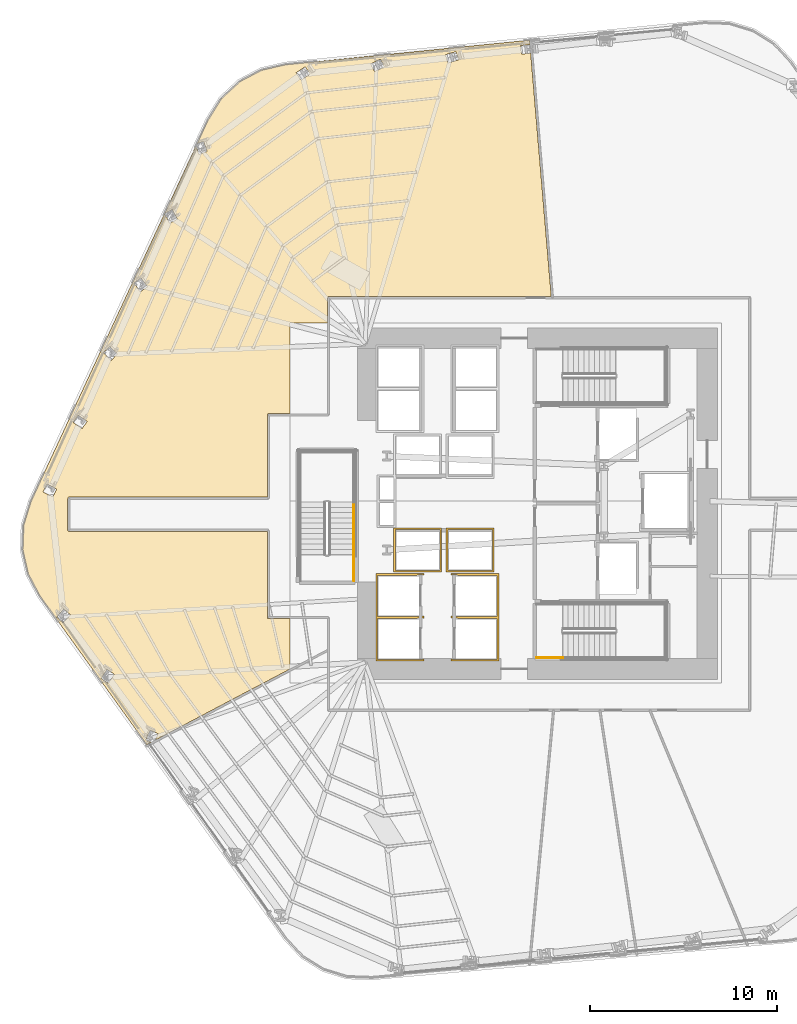
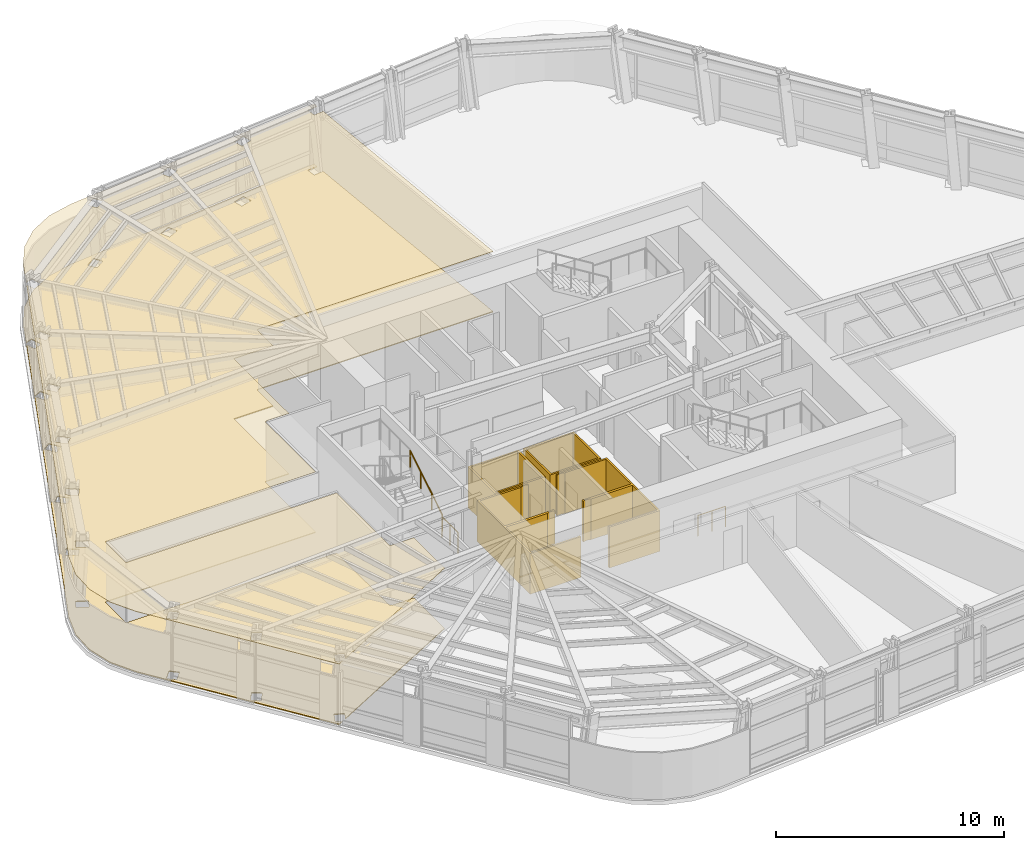
# One storey, part 12 of 16: 6 coverings, 3 railings.
"""IFC4 building model written with IfcOpenShell, lengths in metres."""

from ifc_helpers import new_model, si_unit, direction, frame, origin, origin_2d, place, context, subcontext, project, spatial, polyline, circle, outline, extrude, material, layer, layer_set, type_object, element, save


model = new_model("IFC4")

# Units and contexts
model_context = context("Model", 3, precision=1e-05, world=origin(), true_north=direction((0.0, 1.0)))
body_context = subcontext(model_context, "Body", "Model", "MODEL_VIEW")
ifc_project = project(units=[si_unit("LENGTHUNIT", "METRE"), si_unit("AREAUNIT", "SQUARE_METRE"), si_unit("VOLUMEUNIT", "CUBIC_METRE"), si_unit("PLANEANGLEUNIT", "RADIAN"), si_unit("MASSUNIT", "GRAM", prefix="KILO")], contexts=[model_context])

# Site, building, storey
site_placement = place(None, origin())
site = spatial("IfcSite", under=ifc_project, at=site_placement, CompositionType="ELEMENT")
building_placement = place(site_placement, origin())
building = spatial("IfcBuilding", under=site, at=building_placement, Name="Valkerne Bourse Tower", CompositionType="ELEMENT")
storey_placement = place(building_placement, frame((0.0, 0.0, 46.800048828125)))
storey = spatial("IfcBuildingStorey", under=building, at=storey_placement, Name="L11", CompositionType="ELEMENT", Elevation=46.800048828125)

# Coverings
ifc_material_1 = material(Name="Mineral Fiber Acoustic Ceiling Tile", Category="acoustic")
ifc_layer_1 = layer(ifc_material_1, 0.02490234375)
ifc_layer_set_1 = layer_set([ifc_layer_1], Name="Mineral Fiber Acoustic Ceiling Tile")
covering_type_1 = type_object("IfcCoveringType", Name="COV-CEIL-ACT", PredefinedType="CEILING", material=ifc_layer_set_1)
covering_1_placement = place(storey_placement, frame((0.0, 0.0, 3.22998046875)))
element("IfcCovering", 1, at=covering_1_placement, inside=storey, type_object=covering_type_1, Name="L11 Suspended Ceiling 06", PredefinedType="CEILING", context=body_context, shape_type="SweptSolid", body=[
    extrude(outline(polyline([(19.33203125, 24.403564453125), (19.380615234375, 25.72216796875), (19.77099609375, 26.9921875), (28.573974609375, 45.948486328125), (28.7265625, 45.50048828125), (29.1630859375, 45.64697265625), (29.165771484375, 45.649658203125), (28.97998046875, 46.1953125), (28.635009765625, 46.079345703125), (29.225341796875, 47.35107421875), (29.931884765625, 48.477294921875), (30.8984375, 49.37548828125), (32.064697265625, 49.992919921875), (33.360595703125, 50.289794921875), (46.3681640625, 51.59033203125), (46.3876953125, 51.361328125), (45.890625, 51.304443359375), (45.94287109375, 50.8447265625), (45.9462890625, 50.844970703125), (46.426513671875, 50.89990234375), (47.5244140625, 37.9189453125), (35.649658203125, 37.9189453125), (35.620849609375, 37.91259765625), (35.591064453125, 37.885986328125), (35.5810546875, 37.8505859375), (35.5810546875, 36.5), (33.60009765625, 36.5), (33.60009765625, 31.6689453125), (32.449462890625, 31.6689453125), (32.419921875, 31.662109375), (32.39404296875, 31.640625), (32.381103515625, 31.6005859375), (32.381103515625, 27.218994140625), (21.79931640625, 27.218994140625), (21.75927734375, 27.205810546875), (21.734619140625, 27.1728515625), (21.731201171875, 25.446533203125), (21.748291015625, 25.40380859375), (21.7890625, 25.3818359375), (32.381103515625, 25.381103515625), (32.381103515625, 20.799560546875), (32.3876953125, 20.77001953125), (32.4140625, 20.740966796875), (32.449462890625, 20.73095703125), (33.60009765625, 20.73095703125), (33.60009765625, 18.052001953125), (26.395263671875, 14.25048828125), (26.548583984375, 14.600830078125), (26.546875, 14.603759765625), (26.123291015625, 14.786865234375), (25.892578125, 14.259033203125), (25.894287109375, 14.256103515625), (26.175537109375, 14.134521484375), (25.94775390625, 14.014404296875), (20.24853515625, 21.943115234375), (19.626708984375, 23.1171875), (19.33203125, 24.403564453125)]), holes=[polyline([(24.212158203125, 17.77490234375), (23.82373046875, 18.0234375), (23.510986328125, 17.539794921875), (23.51220703125, 17.53662109375), (23.900634765625, 17.2880859375), (24.21337890625, 17.771484375), (24.212158203125, 17.77490234375)]), polyline([(21.86865234375, 20.943603515625), (21.867919921875, 20.947509765625), (21.520751953125, 21.250732421875), (21.139404296875, 20.8193359375), (21.14013671875, 20.815673828125), (21.4873046875, 20.51220703125), (21.86865234375, 20.943603515625)]), polyline([(21.141845703125, 27.6533203125), (20.623779296875, 27.90625), (20.419921875, 27.493408203125), (20.419921875, 27.48974609375), (20.937744140625, 27.236572265625), (21.1416015625, 27.6494140625), (21.141845703125, 27.6533203125)]), polyline([(22.763916015625, 31.25), (22.764404296875, 31.253662109375), (22.2900390625, 31.581298828125), (22.026611328125, 31.203369140625), (22.026123046875, 31.19970703125), (22.50048828125, 30.872314453125), (22.763916015625, 31.25)]), polyline([(24.37841796875, 34.849365234375), (23.962890625, 35.2490234375), (23.64208984375, 34.918212890625), (23.64111328125, 34.914794921875), (24.056640625, 34.51513671875), (24.377197265625, 34.845947265625), (24.37841796875, 34.849365234375)]), polyline([(25.980712890625, 38.44091796875), (25.982421875, 38.444091796875), (25.638671875, 38.906982421875), (25.267822265625, 38.633544921875), (25.26611328125, 38.630615234375), (25.60986328125, 38.167724609375), (25.980712890625, 38.44091796875)]), polyline([(27.5751953125, 42.040283203125), (27.577392578125, 42.043212890625), (27.3125, 42.554931640625), (26.90234375, 42.344970703125), (26.900146484375, 42.342041015625), (27.1650390625, 41.830078125), (27.5751953125, 42.040283203125)]), polyline([(34.177490234375, 49.468017578125), (34.65380859375, 49.78759765625), (34.396484375, 50.172119140625), (34.393310546875, 50.170166015625), (33.916748046875, 49.8505859375), (34.17431640625, 49.466064453125), (34.177490234375, 49.468017578125)]), polyline([(38.098876953125, 49.917236328125), (38.617919921875, 50.162353515625), (38.420654296875, 50.5810546875), (38.417236328125, 50.57958984375), (37.898193359375, 50.33447265625), (38.095458984375, 49.916015625), (38.098876953125, 49.917236328125)]), polyline([(42.0205078125, 50.376708984375), (42.572265625, 50.53515625), (42.44482421875, 50.97998046875), (42.44140625, 50.979248046875), (41.8896484375, 50.82080078125), (42.016845703125, 50.3759765625), (42.0205078125, 50.376708984375)])]), origin(), (0.0, 0.0, 1.0), 0.02490234375),
])
ifc_material_2 = material(Name="Galvanised Painted Steel", Category="steel")
ifc_layer_2 = layer(ifc_material_2, 0.044921875)
ifc_layer_set_2 = layer_set([ifc_layer_2], Name="Galvanised Painted Steel")
covering_type_2 = type_object("IfcCoveringType", Name="COV-FLR-RAF", PredefinedType="FLOORING", material=ifc_layer_set_2)
covering_2_placement = place(storey_placement, origin())
element("IfcCovering", 2, at=covering_2_placement, inside=storey, type_object=covering_type_2, Name="L11 Floor Finish 06", PredefinedType="FLOORING", context=body_context, shape_type="SweptSolid", body=[
    extrude(outline(polyline([(19.33203125, 24.403564453125), (19.380615234375, 25.72216796875), (19.77099609375, 26.9921875), (28.573974609375, 45.948486328125), (28.7265625, 45.50048828125), (29.1630859375, 45.64697265625), (29.165771484375, 45.649658203125), (28.97998046875, 46.1953125), (28.635009765625, 46.079345703125), (29.225341796875, 47.35107421875), (29.931884765625, 48.477294921875), (30.8984375, 49.37548828125), (32.064697265625, 49.992919921875), (33.360595703125, 50.289794921875), (46.3681640625, 51.59033203125), (46.3876953125, 51.361328125), (45.890625, 51.304443359375), (45.94287109375, 50.8447265625), (45.9462890625, 50.844970703125), (46.426513671875, 50.89990234375), (47.5244140625, 37.9189453125), (35.649658203125, 37.9189453125), (35.620849609375, 37.91259765625), (35.591064453125, 37.885986328125), (35.5810546875, 37.8505859375), (35.5810546875, 36.5), (33.60009765625, 36.5), (33.60009765625, 31.6689453125), (32.449462890625, 31.6689453125), (32.419921875, 31.662109375), (32.39404296875, 31.640625), (32.381103515625, 31.6005859375), (32.381103515625, 27.218994140625), (21.79931640625, 27.218994140625), (21.75927734375, 27.205810546875), (21.734619140625, 27.1728515625), (21.731201171875, 25.446533203125), (21.748291015625, 25.40380859375), (21.7890625, 25.3818359375), (32.381103515625, 25.381103515625), (32.381103515625, 20.799560546875), (32.3876953125, 20.77001953125), (32.4140625, 20.740966796875), (32.449462890625, 20.73095703125), (33.60009765625, 20.73095703125), (33.60009765625, 18.052001953125), (26.395263671875, 14.25048828125), (26.548583984375, 14.600830078125), (26.546875, 14.603759765625), (26.123291015625, 14.786865234375), (25.892578125, 14.259033203125), (25.894287109375, 14.256103515625), (26.175537109375, 14.134521484375), (25.94775390625, 14.014404296875), (20.24853515625, 21.943115234375), (19.626708984375, 23.1171875), (19.33203125, 24.403564453125)]), holes=[polyline([(24.212158203125, 17.77490234375), (23.82373046875, 18.0234375), (23.510986328125, 17.539794921875), (23.51220703125, 17.53662109375), (23.900634765625, 17.2880859375), (24.21337890625, 17.771484375), (24.212158203125, 17.77490234375)]), polyline([(21.86865234375, 20.943603515625), (21.867919921875, 20.947509765625), (21.520751953125, 21.250732421875), (21.139404296875, 20.8193359375), (21.14013671875, 20.815673828125), (21.4873046875, 20.51220703125), (21.86865234375, 20.943603515625)]), polyline([(21.141845703125, 27.6533203125), (20.623779296875, 27.90625), (20.419921875, 27.493408203125), (20.419921875, 27.48974609375), (20.937744140625, 27.236572265625), (21.1416015625, 27.6494140625), (21.141845703125, 27.6533203125)]), polyline([(22.763916015625, 31.25), (22.764404296875, 31.253662109375), (22.2900390625, 31.581298828125), (22.026611328125, 31.203369140625), (22.026123046875, 31.19970703125), (22.50048828125, 30.872314453125), (22.763916015625, 31.25)]), polyline([(24.37841796875, 34.849365234375), (23.962890625, 35.2490234375), (23.64208984375, 34.918212890625), (23.64111328125, 34.914794921875), (24.056640625, 34.51513671875), (24.377197265625, 34.845947265625), (24.37841796875, 34.849365234375)]), polyline([(25.980712890625, 38.44091796875), (25.982421875, 38.444091796875), (25.638671875, 38.906982421875), (25.267822265625, 38.633544921875), (25.26611328125, 38.630615234375), (25.60986328125, 38.167724609375), (25.980712890625, 38.44091796875)]), polyline([(27.5751953125, 42.040283203125), (27.577392578125, 42.043212890625), (27.3125, 42.554931640625), (26.90234375, 42.344970703125), (26.900146484375, 42.342041015625), (27.1650390625, 41.830078125), (27.5751953125, 42.040283203125)]), polyline([(34.177490234375, 49.468017578125), (34.65380859375, 49.78759765625), (34.396484375, 50.172119140625), (34.393310546875, 50.170166015625), (33.916748046875, 49.8505859375), (34.17431640625, 49.466064453125), (34.177490234375, 49.468017578125)]), polyline([(38.098876953125, 49.917236328125), (38.617919921875, 50.162353515625), (38.420654296875, 50.5810546875), (38.417236328125, 50.57958984375), (37.898193359375, 50.33447265625), (38.095458984375, 49.916015625), (38.098876953125, 49.917236328125)]), polyline([(42.0205078125, 50.376708984375), (42.572265625, 50.53515625), (42.44482421875, 50.97998046875), (42.44140625, 50.979248046875), (41.8896484375, 50.82080078125), (42.016845703125, 50.3759765625), (42.0205078125, 50.376708984375)])]), origin(), (0.0, 0.0, 1.0), 0.044921875),
])
ifc_material_3 = material(Name="Gypsum Shaftwall Liner Board", Category="gypsum")
ifc_layer_3 = layer(ifc_material_3, 0.080078125)
ifc_layer_set_3 = layer_set([ifc_layer_3], Name="Gypsum Shaftwall Liner Board")
covering_type_3 = type_object("IfcCoveringType", Name="COV-SHF-CLAD", PredefinedType="CLADDING", material=ifc_layer_set_3)
covering_3_placement = place(storey_placement, origin())
element("IfcCovering", 3, at=covering_3_placement, inside=storey, type_object=covering_type_3, Name="L11 Hoistway & Riser Shaftwall Liner 01", PredefinedType="CLADDING", context=body_context, shape_type="SweptSolid", body=[
    extrude(outline(polyline([(38.169921875, 23.1298828125), (40.72998046875, 23.1298828125), (40.72998046875, 23.052001953125), (40.72216796875, 23.0556640625), (40.6806640625, 23.070556640625), (40.6376953125, 23.081298828125), (40.593994140625, 23.087890625), (40.550048828125, 23.090087890625), (40.505859375, 23.087890625), (40.462158203125, 23.081298828125), (40.41943359375, 23.070556640625), (40.377685546875, 23.0556640625), (40.344482421875, 23.0400390625), (38.260009765625, 23.0400390625), (38.260009765625, 20.860107421875), (40.456787109375, 20.860107421875), (40.462158203125, 20.858642578125), (40.505859375, 20.852294921875), (40.550048828125, 20.85009765625), (40.593994140625, 20.852294921875), (40.6376953125, 20.858642578125), (40.6806640625, 20.869384765625), (40.72216796875, 20.88427734375), (40.72998046875, 20.887939453125), (40.72998046875, 20.830078125), (40.72998046875, 20.77001953125), (40.72998046875, 20.752197265625), (40.72216796875, 20.755615234375), (40.6806640625, 20.7705078125), (40.6376953125, 20.781494140625), (40.593994140625, 20.787841796875), (40.550048828125, 20.7900390625), (40.505859375, 20.787841796875), (40.462158203125, 20.781494140625), (40.41943359375, 20.7705078125), (40.377685546875, 20.755615234375), (40.344482421875, 20.739990234375), (38.260009765625, 20.739990234375), (38.260009765625, 18.56005859375), (40.456787109375, 18.56005859375), (40.462158203125, 18.55859375), (40.505859375, 18.55224609375), (40.550048828125, 18.550048828125), (40.593994140625, 18.55224609375), (40.6376953125, 18.55859375), (40.6806640625, 18.5693359375), (40.72216796875, 18.584228515625), (40.72998046875, 18.587890625), (40.72998046875, 18.469970703125), (38.169921875, 18.469970703125), (38.169921875, 20.77001953125), (38.169921875, 20.830078125), (38.169921875, 23.1298828125)])), origin(), (0.0, 0.0, 1.0), 2.179931640625),
])
covering_4_placement = place(storey_placement, origin())
element("IfcCovering", 4, at=covering_4_placement, inside=storey, type_object=covering_type_3, Name="L11 Hoistway & Riser Shaftwall Liner 02", PredefinedType="CLADDING", context=body_context, shape_type="SweptSolid", body=[
    extrude(outline(polyline([(41.679931640625, 23.219970703125), (39.1201171875, 23.219970703125), (39.1201171875, 25.580078125), (41.679931640625, 25.580078125), (41.679931640625, 23.219970703125)]), holes=[polyline([(39.2099609375, 25.489990234375), (39.2099609375, 23.31005859375), (41.590087890625, 23.31005859375), (41.590087890625, 25.489990234375), (39.2099609375, 25.489990234375)])]), origin(), (0.0, 0.0, 1.0), 2.179931640625),
])
covering_5_placement = place(storey_placement, origin())
element("IfcCovering", 5, at=covering_5_placement, inside=storey, type_object=covering_type_3, Name="L11 Hoistway & Riser Shaftwall Liner 03", PredefinedType="CLADDING", context=body_context, shape_type="SweptSolid", body=[
    extrude(outline(polyline([(44.47998046875, 23.219970703125), (41.919921875, 23.219970703125), (41.919921875, 25.580078125), (44.47998046875, 25.580078125), (44.47998046875, 23.219970703125)]), holes=[polyline([(42.010009765625, 25.489990234375), (42.010009765625, 23.31005859375), (44.389892578125, 23.31005859375), (44.389892578125, 25.489990234375), (42.010009765625, 25.489990234375)])]), origin(), (0.0, 0.0, 1.0), 2.179931640625),
])
covering_6_placement = place(storey_placement, origin())
element("IfcCovering", 6, at=covering_6_placement, inside=storey, type_object=covering_type_3, Name="L11 Hoistway & Riser Shaftwall Liner 06", PredefinedType="CLADDING", context=body_context, shape_type="SweptSolid", body=[
    extrude(outline(polyline([(42.169921875, 20.830078125), (42.169921875, 20.887939453125), (42.177734375, 20.88427734375), (42.219482421875, 20.869384765625), (42.26220703125, 20.858642578125), (42.305908203125, 20.852294921875), (42.35009765625, 20.85009765625), (42.39404296875, 20.852294921875), (42.437744140625, 20.858642578125), (42.443115234375, 20.860107421875), (44.639892578125, 20.860107421875), (44.639892578125, 23.0400390625), (42.555419921875, 23.0400390625), (42.522216796875, 23.0556640625), (42.480712890625, 23.070556640625), (42.437744140625, 23.081298828125), (42.39404296875, 23.087890625), (42.35009765625, 23.090087890625), (42.305908203125, 23.087890625), (42.26220703125, 23.081298828125), (42.219482421875, 23.070556640625), (42.177734375, 23.0556640625), (42.169921875, 23.052001953125), (42.169921875, 23.1298828125), (44.72998046875, 23.1298828125), (44.72998046875, 20.830078125), (44.72998046875, 20.77001953125), (44.72998046875, 18.469970703125), (42.169921875, 18.469970703125), (42.169921875, 18.587890625), (42.177734375, 18.584228515625), (42.219482421875, 18.5693359375), (42.26220703125, 18.55859375), (42.305908203125, 18.55224609375), (42.35009765625, 18.550048828125), (42.39404296875, 18.55224609375), (42.437744140625, 18.55859375), (42.443115234375, 18.56005859375), (44.639892578125, 18.56005859375), (44.639892578125, 20.739990234375), (42.555419921875, 20.739990234375), (42.522216796875, 20.755615234375), (42.480712890625, 20.7705078125), (42.437744140625, 20.781494140625), (42.39404296875, 20.787841796875), (42.35009765625, 20.7900390625), (42.305908203125, 20.787841796875), (42.26220703125, 20.781494140625), (42.219482421875, 20.7705078125), (42.177734375, 20.755615234375), (42.169921875, 20.752197265625), (42.169921875, 20.77001953125), (42.169921875, 20.830078125)])), origin(), (0.0, 0.0, 1.0), 2.179931640625),
])

# Railings
railing_type_1 = type_object("IfcRailingType", Name="RLG-ST-GUARD-1120", PredefinedType="GUARDRAIL", material=ifc_material_2)
railing_1_placement = place(storey_placement, frame((46.75, 18.64990234375, 0.0)))
element("IfcRailing", 7, at=railing_1_placement, inside=storey, type_object=railing_type_1, Name="L11 ST-1 stair guard 8", PredefinedType="GUARDRAIL", context=body_context, shape_type="SweptSolid", body=[
    extrude(circle(Radius=0.02392578125, at=origin_2d()), frame((0.0, 0.0, 1.09619140625), z_axis=(1.0, 0.0, 0.0), x_axis=(0.0, 1.0, 0.0)), (0.0, 0.0, 1.0), 1.39990234375),
    extrude(circle(Radius=0.02099609375, at=origin_2d()), origin(), (0.0, 0.0, 1.0), 1.072021484375),
    extrude(circle(Radius=0.02099609375, at=origin_2d()), frame((0.699951171875, 0.0, 0.0)), (0.0, 0.0, 1.0), 1.072021484375),
    extrude(circle(Radius=0.02099609375, at=origin_2d()), frame((1.39990234375, 0.0, 0.0)), (0.0, 0.0, 1.0), 1.072021484375),
])
railing_2_placement = place(storey_placement, frame((37.0, 22.75, 0.0)))
element("IfcRailing", 8, at=railing_2_placement, inside=storey, type_object=railing_type_1, Name="L11 ST-3 stair guard 8", PredefinedType="GUARDRAIL", context=body_context, shape_type="SweptSolid", body=[
    extrude(circle(Radius=0.02392578125, at=origin_2d()), frame((0.0, 0.0, 1.09619140625), z_axis=(0.0, 1.0, 0.0), x_axis=(-1.0, 0.0, 0.0)), (0.0, 0.0, 1.0), 1.39990234375),
    extrude(circle(Radius=0.02099609375, at=origin_2d()), origin(), (0.0, 0.0, 1.0), 1.072021484375),
    extrude(circle(Radius=0.02099609375, at=origin_2d()), frame((0.0, 0.699951171875, 0.0)), (0.0, 0.0, 1.0), 1.072021484375),
    extrude(circle(Radius=0.02099609375, at=origin_2d()), frame((0.0, 1.39990234375, 0.0)), (0.0, 0.0, 1.0), 1.072021484375),
])
ifc_material_4 = material(Name="Stainless Steel AISI 316", Category="steel")
railing_type_2 = type_object("IfcRailingType", Name="RLG-ST-HANDRAIL-900", PredefinedType="HANDRAIL", material=ifc_material_4)
railing_3_placement = place(storey_placement, frame((37.0, 24.14990234375, 0.345458984375)))
element("IfcRailing", 9, at=railing_3_placement, inside=storey, type_object=railing_type_2, Name="L11 ST-3 stair handrail 1", PredefinedType="HANDRAIL", context=body_context, shape_type="SweptSolid", body=[
    extrude(circle(Radius=0.02392578125, at=origin_2d()), frame((0.0, 0.0, 0.8759765625), z_axis=(0.0, 0.851089632645, 0.525020415988), x_axis=(-1.0, 0.0, 0.0)), (0.0, 0.0, 1.0), 3.2900390625),
    extrude(circle(Radius=0.02099609375, at=origin_2d()), origin(), (0.0, 0.0, 1.0), 0.851806640625),
    extrude(circle(Radius=0.02099609375, at=origin_2d()), frame((0.0, 0.933349609375, 0.57568359375)), (0.0, 0.0, 1.0), 0.851806640625),
    extrude(circle(Radius=0.02099609375, at=origin_2d()), frame((0.0, 1.86669921875, 1.151611328125)), (0.0, 0.0, 1.0), 0.851806640625),
    extrude(circle(Radius=0.02099609375, at=origin_2d()), frame((0.0, 2.800048828125, 1.727294921875)), (0.0, 0.0, 1.0), 0.851806640625),
])

save(model, "model.ifc")
